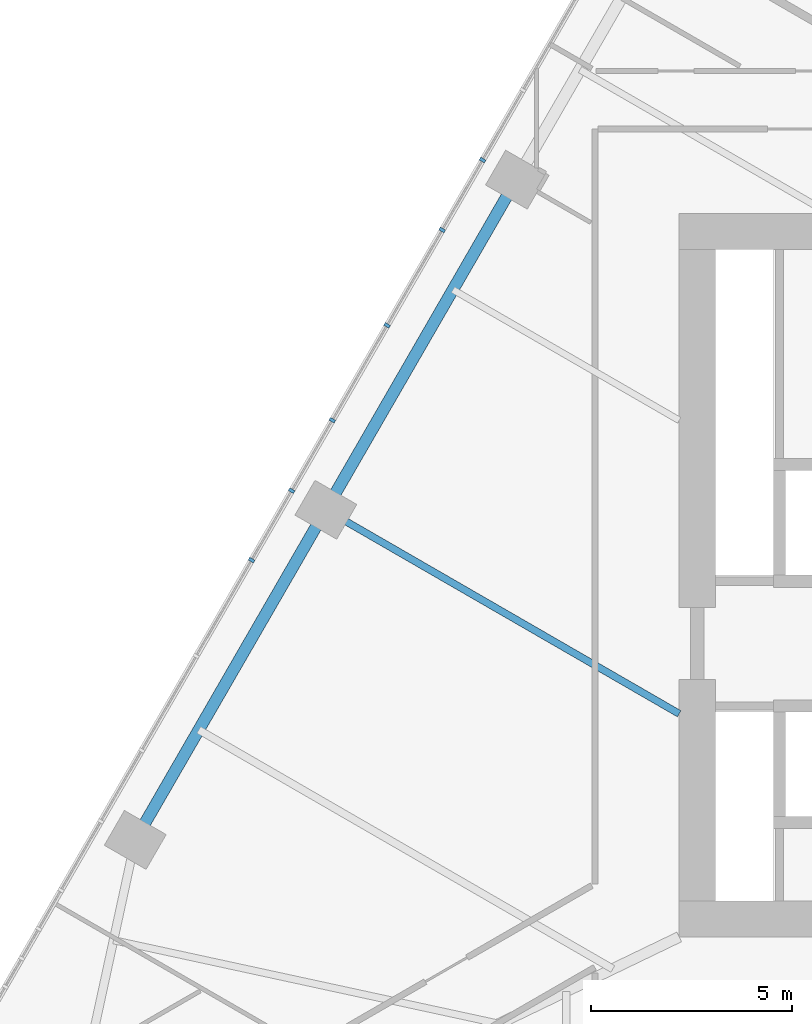
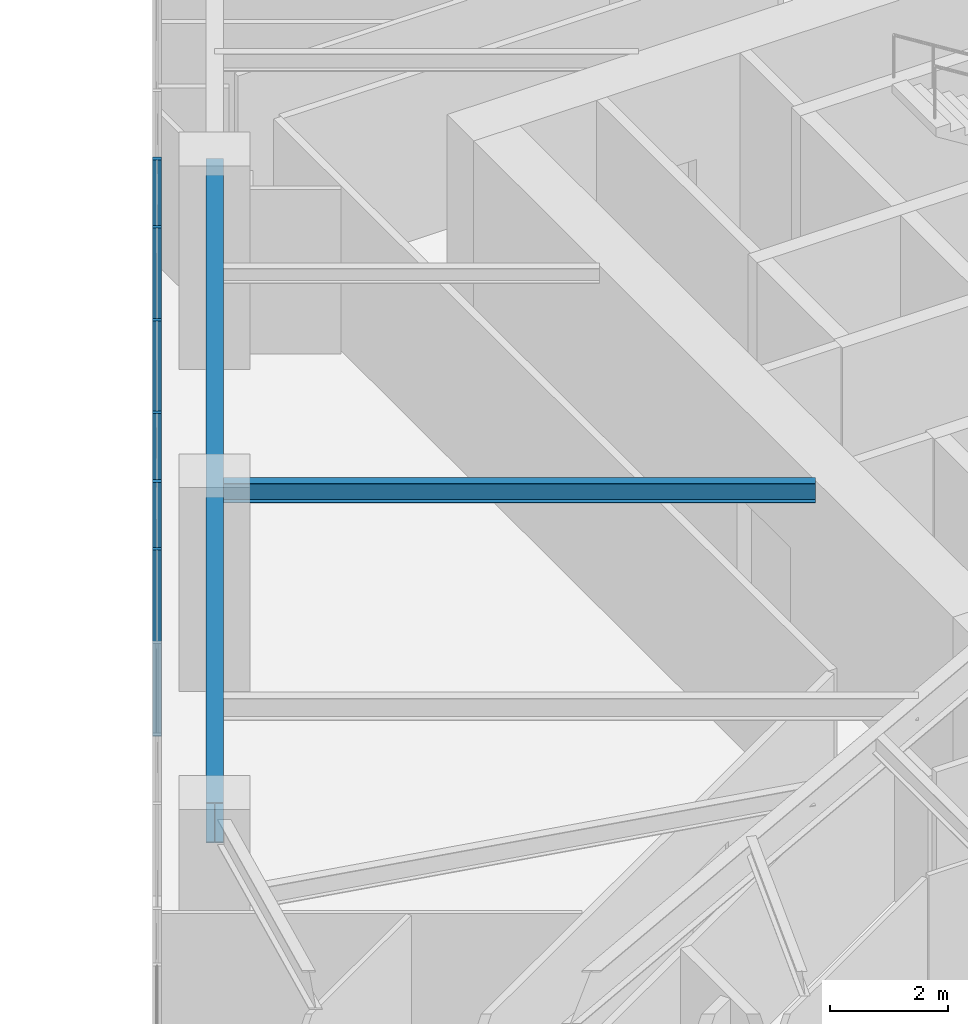
# One storey, part 3 of 26: 6 members, 2 beams, 1 element without a shape of its own.
"""IFC4 building model written with IfcOpenShell, lengths in metres."""

from ifc_helpers import new_model, si_unit, direction, frame, origin, origin_2d, place, context, subcontext, project, spatial, rectangle, i_section, extrude, material, layer, layer_set, material_profile, profile_set, type_object, element, aggregate, save


model = new_model("IFC4")

# Units and contexts
model_context = context("Model", 3, precision=1e-05, world=origin(), true_north=direction((0.0, 1.0)))
body_context = subcontext(model_context, "Body", "Model", "MODEL_VIEW")
ifc_project = project(units=[si_unit("LENGTHUNIT", "METRE"), si_unit("AREAUNIT", "SQUARE_METRE"), si_unit("VOLUMEUNIT", "CUBIC_METRE"), si_unit("PLANEANGLEUNIT", "RADIAN"), si_unit("MASSUNIT", "GRAM", prefix="KILO")], contexts=[model_context])

# Site, building, storey
site_placement = place(None, origin())
site = spatial("IfcSite", under=ifc_project, at=site_placement, CompositionType="ELEMENT")
building_placement = place(site_placement, origin())
building = spatial("IfcBuilding", under=site, at=building_placement, Name="Firuza Gate Tower and Library", CompositionType="ELEMENT")
storey_placement = place(building_placement, frame((0.0, 0.0, 77.800048828125)))
storey = spatial("IfcBuildingStorey", under=building, at=storey_placement, Name="L17", CompositionType="ELEMENT", Elevation=77.800048828125)

# Curtain wall, members
ifc_material_1 = material(Name="Aluminium 6063-T6", Category="aluminium")
ifc_layer = layer(ifc_material_1, 0.14990234375)
ifc_layer_set = layer_set([ifc_layer], Name="Unitised curtain wall, offices")
curtain_wall_type = type_object("IfcCurtainWallType", Name="Unitised curtain wall, offices", PredefinedType="NOTDEFINED", material=ifc_layer_set)
curtain_wall_placement = place(storey_placement, origin())
curtain_wall = element("IfcCurtainWall", 1, at=curtain_wall_placement, inside=storey, type_object=curtain_wall_type, Name="CW1 L17 W face", PredefinedType="NOTDEFINED")
ifc_material_2 = material(Name="Aluminium 6063-T6", Category="aluminium")
ifc_material_profile_1 = material_profile(ifc_material_2, rectangle(XDim=0.14990234375, YDim=0.080078125, at=origin_2d()))
ifc_profile_set_1 = profile_set([ifc_material_profile_1], Name="Aluminium 6063-T6")
member_type = type_object("IfcMemberType", Name="Curtain wall mullion 80x150", PredefinedType="MULLION", material=ifc_profile_set_1)
member_1_placement = place(storey_placement, frame((57.107177734375, 85.33056640625, 0.14990234375), z_axis=(0.0, 0.0, 1.0), x_axis=(0.866025403784, -0.5, 0.0)))
member_1 = element("IfcMember", 2, at=member_1_placement, type_object=member_type, Name="Mullion", PredefinedType="MULLION", context=body_context, shape_type="SweptSolid", body=[
    extrude(rectangle(XDim=0.14990234375, YDim=0.080078125, at=origin_2d()), origin(), (0.0, 0.0, 1.0), 3.85009765625),
])
member_2_placement = place(storey_placement, frame((54.732177734375, 81.217041015625, 0.14990234375), z_axis=(0.0, 0.0, 1.0), x_axis=(0.866025403784, -0.5, 0.0)))
member_2 = element("IfcMember", 3, at=member_2_placement, type_object=member_type, Name="Mullion", PredefinedType="MULLION", context=body_context, shape_type="SweptSolid", body=[
    extrude(rectangle(XDim=0.14990234375, YDim=0.080078125, at=origin_2d()), origin(), (0.0, 0.0, 1.0), 3.85009765625),
])
member_3_placement = place(storey_placement, frame((52.357177734375, 77.103515625, 0.14990234375), z_axis=(0.0, 0.0, 1.0), x_axis=(0.866025403784, -0.5, 0.0)))
member_3 = element("IfcMember", 4, at=member_3_placement, type_object=member_type, Name="Mullion", PredefinedType="MULLION", context=body_context, shape_type="SweptSolid", body=[
    extrude(rectangle(XDim=0.14990234375, YDim=0.080078125, at=origin_2d()), origin(), (0.0, 0.0, 1.0), 3.85009765625),
])
member_4_placement = place(storey_placement, frame((56.1025390625, 83.590576171875, 0.14990234375), z_axis=(0.0, 0.0, 1.0), x_axis=(0.866025403784, -0.5, 0.0)))
member_4 = element("IfcMember", 5, at=member_4_placement, type_object=member_type, Name="Mullion", PredefinedType="MULLION", context=body_context, shape_type="SweptSolid", body=[
    extrude(rectangle(XDim=0.14990234375, YDim=0.080078125, at=origin_2d()), origin(), (0.0, 0.0, 1.0), 3.85009765625),
])
member_5_placement = place(storey_placement, frame((53.368896484375, 78.85595703125, 0.14990234375), z_axis=(0.0, 0.0, 1.0), x_axis=(0.866025403784, -0.5, 0.0)))
member_5 = element("IfcMember", 6, at=member_5_placement, type_object=member_type, Name="Mullion", PredefinedType="MULLION", context=body_context, shape_type="SweptSolid", body=[
    extrude(rectangle(XDim=0.14990234375, YDim=0.080078125, at=origin_2d()), origin(), (0.0, 0.0, 1.0), 3.85009765625),
])
member_6_placement = place(storey_placement, frame((51.35986328125, 75.3759765625, 0.14990234375), z_axis=(0.0, 0.0, 1.0), x_axis=(0.866025403784, -0.5, 0.0)))
member_6 = element("IfcMember", 7, at=member_6_placement, type_object=member_type, Name="Mullion", PredefinedType="MULLION", context=body_context, shape_type="SweptSolid", body=[
    extrude(rectangle(XDim=0.14990234375, YDim=0.080078125, at=origin_2d()), origin(), (0.0, 0.0, 1.0), 3.85009765625),
])
aggregate(curtain_wall, [member_1, member_2, member_3, member_4, member_5, member_6])

# Beams
ifc_material_3 = material(Name="Steel S355", Category="steel")
ifc_material_profile_2 = material_profile(ifc_material_3, i_section(OverallWidth=0.177978515625, OverallDepth=0.406982421875, WebThickness=0.0078125, FlangeThickness=0.0126953125, at=origin_2d()))
ifc_profile_set_2 = profile_set([ifc_material_profile_2], Name="Steel S355")
beam_type_1 = type_object("IfcBeamType", Name="W410x60 Floor beam", PredefinedType="JOIST", material=ifc_profile_set_2)
beam_1_placement = place(storey_placement, frame((53.208740234375, 76.62841796875, 3.79638671875), z_axis=(0.866033795846, -0.499985464241, 0.0), x_axis=(0.499985464241, 0.866033795846, 0.0)))
element("IfcBeam", 8, at=beam_1_placement, inside=storey, type_object=beam_type_1, Name="Floor beam L17 s84", PredefinedType="JOIST", context=body_context, shape_type="SweptSolid", body=[
    extrude(i_section(OverallWidth=0.177978515625, OverallDepth=0.406982421875, WebThickness=0.0078125, FlangeThickness=0.0126953125, at=origin_2d()), origin(), (0.0, 0.0, 1.0), 10.151123046875),
])
ifc_material_4 = material(Name="Steel S355", Category="steel")
ifc_material_profile_3 = material_profile(ifc_material_4, i_section(OverallWidth=0.2919921875, OverallDepth=0.8349609375, WebThickness=0.013916015625, FlangeThickness=0.018798828125, at=origin_2d()))
ifc_profile_set_3 = profile_set([ifc_material_profile_3], Name="Steel S355")
beam_type_2 = type_object("IfcBeamType", Name="W840x176 Edge beam", PredefinedType="SPANDREL", material=ifc_profile_set_3)
beam_2_placement = place(storey_placement, frame((57.951416015625, 84.843017578125, 3.58251953125), z_axis=(-0.500003555199, -0.866023351179, 0.0), x_axis=(0.866023351179, -0.500003555199, 0.0)))
element("IfcBeam", 9, at=beam_2_placement, inside=storey, type_object=beam_type_2, Name="Edge beam L17 e82", PredefinedType="SPANDREL", context=body_context, shape_type="SweptSolid", body=[
    extrude(i_section(OverallWidth=0.2919921875, OverallDepth=0.8349609375, WebThickness=0.013916015625, FlangeThickness=0.018798828125, at=origin_2d()), origin(), (0.0, 0.0, 1.0), 18.970458984375),
])

save(model, "model.ifc")
